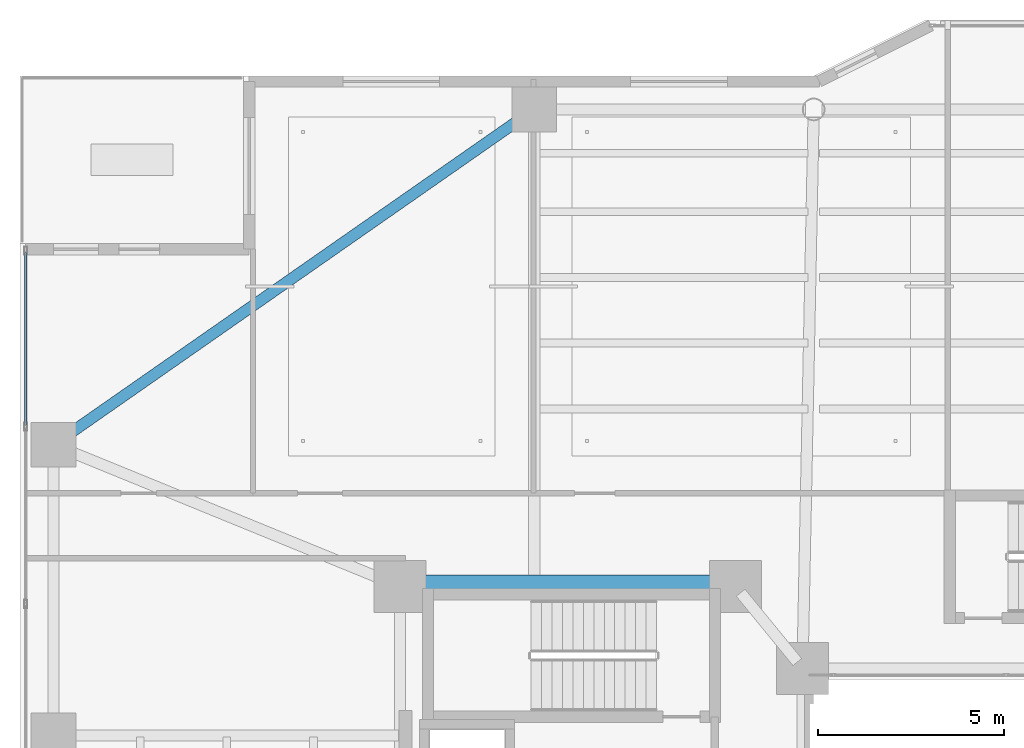
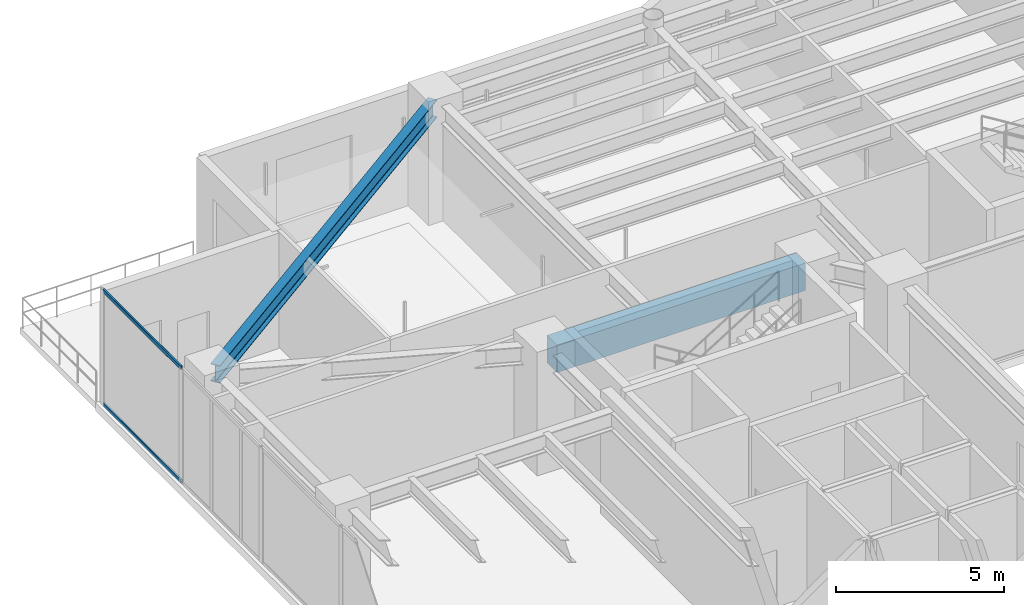
# One storey, part 18 of 39: 2 beams, 2 members, 1 element without a shape of its own.
"""IFC4 building model written with IfcOpenShell, lengths in metres."""

from ifc_helpers import new_model, si_unit, direction, frame, origin, origin_2d, place, context, subcontext, project, spatial, rectangle, hollow_rectangle, i_section, extrude, material, layer, layer_set, material_profile, profile_set, type_object, element, aggregate, save


model = new_model("IFC4")

# Units and contexts
model_context = context("Model", 3, precision=1e-05, world=origin(), true_north=direction((0.0, 1.0)))
body_context = subcontext(model_context, "Body", "Model", "MODEL_VIEW")
ifc_project = project(units=[si_unit("LENGTHUNIT", "METRE"), si_unit("AREAUNIT", "SQUARE_METRE"), si_unit("VOLUMEUNIT", "CUBIC_METRE"), si_unit("PLANEANGLEUNIT", "RADIAN"), si_unit("MASSUNIT", "GRAM", prefix="KILO")], contexts=[model_context])

# Site, building, storey
site_placement = place(None, origin())
site = spatial("IfcSite", under=ifc_project, at=site_placement, CompositionType="ELEMENT")
building_placement = place(site_placement, origin())
building = spatial("IfcBuilding", under=site, at=building_placement, Name="Tarnavaz Court Tower", CompositionType="ELEMENT")
storey_placement = place(building_placement, frame((0.0, 0.0, 68.699951171875)))
storey = spatial("IfcBuildingStorey", under=building, at=storey_placement, Name="L18", CompositionType="ELEMENT", Elevation=68.699951171875)

# Beams
ifc_material_1 = material(Name="Concrete C60/75", Category="concrete")
ifc_material_profile_1 = material_profile(ifc_material_1, rectangle(XDim=0.60009765625, YDim=1.0, at=origin_2d()), Name="RC 600X1000")
ifc_profile_set_1 = profile_set([ifc_material_profile_1], Name="Concrete C60/75")
beam_type_1 = type_object("IfcBeamType", Name="BM-CB1000", PredefinedType="LINTEL", material=ifc_profile_set_1)
beam_1_placement = place(storey_placement, frame((-18.3798828125, 10.0, 3.699951171875), z_axis=(1.0, 0.0, 0.0), x_axis=(0.0, 1.0, 0.0)))
element("IfcBeam", 1, at=beam_1_placement, inside=storey, type_object=beam_type_1, Name="L18 Beam IN-CW-NO-CW-NI", PredefinedType="LINTEL", context=body_context, shape_type="SweptSolid", body=[
    extrude(rectangle(XDim=0.60009765625, YDim=1.0, at=origin_2d()), origin(), (0.0, 0.0, 1.0), 8.559814453125),
])
ifc_material_2 = material(Name="Steel S355", Category="steel")
ifc_material_profile_2 = material_profile(ifc_material_2, i_section(OverallWidth=0.300048828125, OverallDepth=0.639892578125, WebThickness=0.013427734375, FlangeThickness=0.02587890625, FilletRadius=0.027099609375, at=origin_2d()), Name="HEA 650")
ifc_profile_set_2 = profile_set([ifc_material_profile_2], Name="Steel S355")
beam_type_2 = type_object("IfcBeamType", Name="BM-SP-HEA650", PredefinedType="SPANDREL", material=ifc_profile_set_2)
beam_2_placement = place(storey_placement, frame((-27.719482421875, 13.92578125, 3.880126953125), z_axis=(0.820123643324, 0.572186341729, 0.0), x_axis=(-0.572186341729, 0.820123643324, 0.0)))
element("IfcBeam", 2, at=beam_2_placement, inside=storey, type_object=beam_type_2, Name="L18 Beam PR-PW-4-PN-1", PredefinedType="SPANDREL", context=body_context, shape_type="SweptSolid", body=[
    extrude(i_section(OverallWidth=0.300048828125, OverallDepth=0.639892578125, WebThickness=0.013427734375, FlangeThickness=0.02587890625, FilletRadius=0.027099609375, at=origin_2d()), origin(), (0.0, 0.0, 1.0), 15.289306640625),
])

# Curtain wall, members
ifc_material_3 = material(Name="Anodised Aluminium 6063-T6 and Solar Low-E Glazing", Category="aluminium")
ifc_layer = layer(ifc_material_3, 0.199951171875)
ifc_layer_set = layer_set([ifc_layer], Name="Anodised Aluminium 6063-T6 and Solar Low-E Glazing")
curtain_wall_type = type_object("IfcCurtainWallType", Name="CW-SYS-05", PredefinedType="NOTDEFINED", material=ifc_layer_set)
curtain_wall_placement = place(storey_placement, origin())
curtain_wall = element("IfcCurtainWall", 3, at=curtain_wall_placement, inside=storey, type_object=curtain_wall_type, Name="L18 Sky-Portal Curtain Wall 2", PredefinedType="NOTDEFINED")
ifc_material_4 = material(Name="Anodised Aluminium 6063-T6", Category="aluminium")
ifc_material_profile_3 = material_profile(ifc_material_4, hollow_rectangle(XDim=0.06494140625, YDim=0.139892578125, WallThickness=0.00390625, InnerFilletRadius=0.00390625, OuterFilletRadius=0.008056640625, at=origin_2d()), Name="ALU RHS 140X65X4")
ifc_profile_set_3 = profile_set([ifc_material_profile_3], Name="Anodised Aluminium 6063-T6")
member_type = type_object("IfcMemberType", Name="CW-TRN-140", PredefinedType="USERDEFINED", material=ifc_profile_set_3)
member_1_placement = place(storey_placement, frame((-28.64990234375, 14.330078125, 0.032470703125), z_axis=(0.0, 1.0, 0.0), x_axis=(-1.0, 0.0, 0.0)))
member_1 = element("IfcMember", 4, at=member_1_placement, type_object=member_type, Name="CW transom 8.1", ObjectType="TRANSOM", PredefinedType="USERDEFINED", context=body_context, shape_type="SweptSolid", body=[
    extrude(hollow_rectangle(XDim=0.06494140625, YDim=0.139892578125, WallThickness=0.00390625, InnerFilletRadius=0.00390625, OuterFilletRadius=0.008056640625, at=origin_2d()), origin(), (0.0, 0.0, 1.0), 4.635009765625),
])
member_2_placement = place(storey_placement, frame((-28.64990234375, 14.330078125, 4.16748046875), z_axis=(0.0, 1.0, 0.0), x_axis=(-1.0, 0.0, 0.0)))
member_2 = element("IfcMember", 5, at=member_2_placement, type_object=member_type, Name="CW transom 8.2", ObjectType="TRANSOM", PredefinedType="USERDEFINED", context=body_context, shape_type="SweptSolid", body=[
    extrude(hollow_rectangle(XDim=0.06494140625, YDim=0.139892578125, WallThickness=0.00390625, InnerFilletRadius=0.00390625, OuterFilletRadius=0.008056640625, at=origin_2d()), origin(), (0.0, 0.0, 1.0), 4.635009765625),
])
aggregate(curtain_wall, [member_1, member_2])

save(model, "model.ifc")
